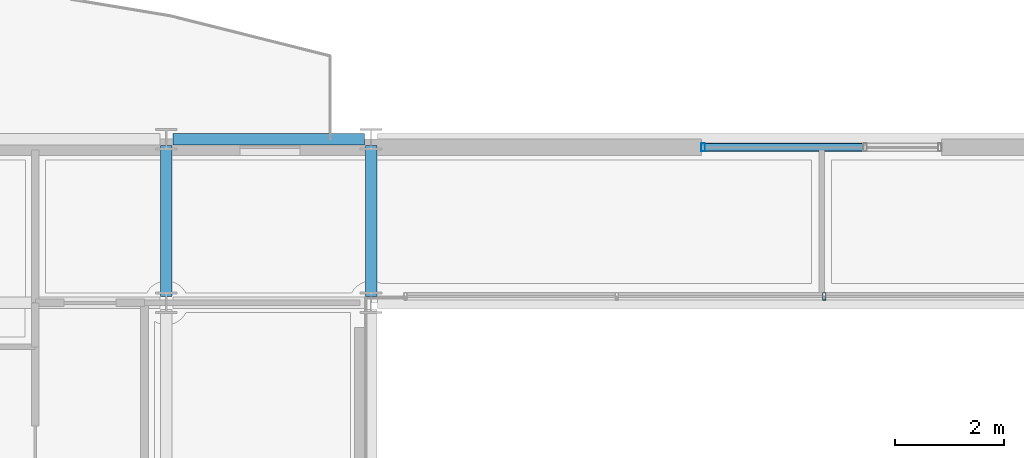
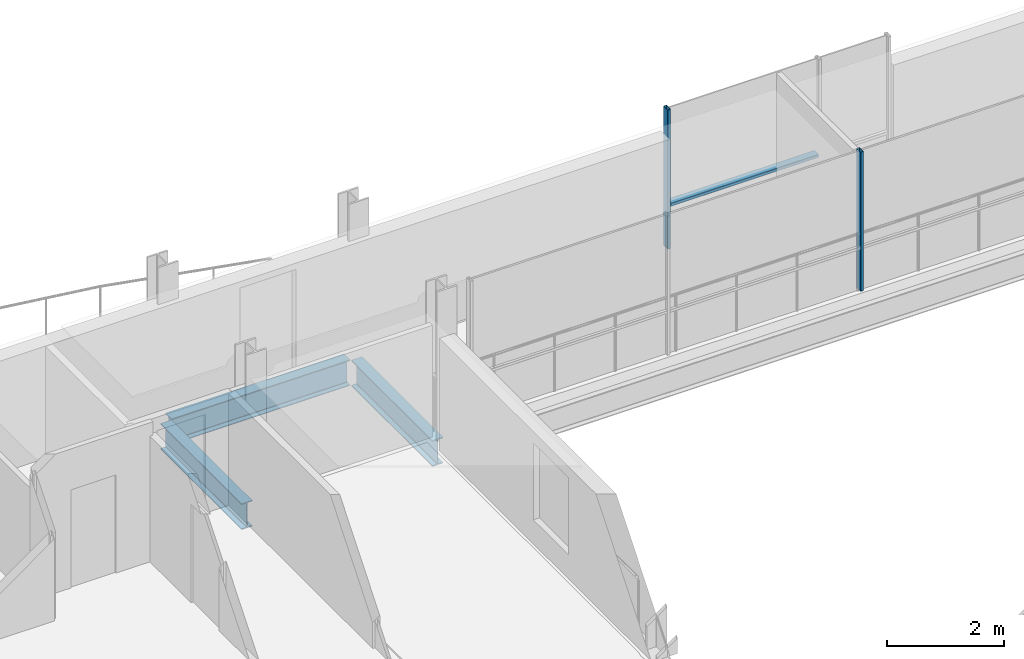
# One storey, part 11 of 38: 3 beams, 3 members, 2 elements without a shape of their own.
"""IFC4 building model written with IfcOpenShell, lengths in metres."""

from ifc_helpers import new_model, si_unit, direction, frame, origin, origin_2d, place, context, subcontext, project, spatial, hollow_rectangle, i_section, extrude, material, layer, layer_set, material_profile, profile_set, type_object, element, aggregate, save


model = new_model("IFC4")

# Units and contexts
model_context = context("Model", 3, precision=1e-05, world=origin(), true_north=direction((0.0, 1.0)))
body_context = subcontext(model_context, "Body", "Model", "MODEL_VIEW")
ifc_project = project(units=[si_unit("LENGTHUNIT", "METRE"), si_unit("AREAUNIT", "SQUARE_METRE"), si_unit("VOLUMEUNIT", "CUBIC_METRE"), si_unit("PLANEANGLEUNIT", "RADIAN"), si_unit("MASSUNIT", "GRAM", prefix="KILO")], contexts=[model_context])

# Site, building, storey
site_placement = place(None, origin())
site = spatial("IfcSite", under=ifc_project, at=site_placement, CompositionType="ELEMENT")
building_placement = place(site_placement, origin())
building = spatial("IfcBuilding", under=site, at=building_placement, Name="Brevholm Reach", CompositionType="ELEMENT")
storey_placement = place(building_placement, frame((0.0, 0.0, 186.300048828125)))
storey = spatial("IfcBuildingStorey", under=building, at=storey_placement, Name="L56", CompositionType="ELEMENT", Elevation=186.300048828125)

# Beams
ifc_material_1 = material(Name="Structural Steel S355J2", Category="steel")
ifc_material_profile_1 = material_profile(ifc_material_1, i_section(OverallWidth=0.209228515625, OverallDepth=0.533203125, WebThickness=0.010009765625, FlangeThickness=0.015625, FilletRadius=0.0126953125, at=origin_2d()), Name="UKB 533x210x92")
ifc_profile_set_1 = profile_set([ifc_material_profile_1], Name="Structural Steel S355J2")
beam_type_1 = type_object("IfcBeamType", Name="BM-SP533", PredefinedType="SPANDREL", material=ifc_profile_set_1)
beam_placement = place(storey_placement, frame((18.1201171875, 26.5, -0.4765625), z_axis=(1.0, 0.0, 0.0), x_axis=(0.0, 1.0, 0.0)))
element("IfcBeam", 1, at=beam_placement, inside=storey, type_object=beam_type_1, Name="L56 SP-02 Framing Beam", PredefinedType="SPANDREL", context=body_context, shape_type="SweptSolid", body=[
    extrude(i_section(OverallWidth=0.209228515625, OverallDepth=0.533203125, WebThickness=0.010009765625, FlangeThickness=0.015625, FilletRadius=0.0126953125, at=origin_2d()), origin(), (0.0, 0.0, 1.0), 3.509765625),
])
ifc_material_2 = material(Name="Structural Steel S355J2", Category="steel")
ifc_material_profile_2 = material_profile(ifc_material_2, i_section(OverallWidth=0.210693359375, OverallDepth=0.53955078125, WebThickness=0.01171875, FlangeThickness=0.018798828125, FilletRadius=0.0126953125, at=origin_2d()), Name="UKB 533x210x109")
ifc_profile_set_2 = profile_set([ifc_material_profile_2], Name="Structural Steel S355J2")
beam_type_2 = type_object("IfcBeamType", Name="BM-SP539", PredefinedType="SPANDREL", material=ifc_profile_set_2)
for number, where, z_axis, x_axis, name in (
    (2, (18.0, 23.6201171875, -0.479736328125), (0.0, 1.0, 0.0), (-1.0, 0.0, 0.0), "L56 SP-01B Framing Beam"),
    (3, (21.75, 23.6201171875, -0.479736328125), (0.0, 1.0, 0.0), (-1.0, 0.0, 0.0), "L56 SP-01B Framing Beam"),
):
    element("IfcBeam", number, at=place(storey_placement, frame(where, z_axis=z_axis, x_axis=x_axis)), inside=storey, type_object=beam_type_2, Name=name, PredefinedType="SPANDREL", context=body_context, shape_type="SweptSolid", body=[
        extrude(i_section(OverallWidth=0.210693359375, OverallDepth=0.53955078125, WebThickness=0.01171875, FlangeThickness=0.018798828125, FilletRadius=0.0126953125, at=origin_2d()), origin(), (0.0, 0.0, 1.0), 2.759765625),
    ])

# Curtain wall, member
ifc_material_3 = material(Name="Dark Anodised Aluminium 6063-T6 and Solar-Control Glass", Category="aluminium")
ifc_layer_1 = layer(ifc_material_3, 0.139892578125)
ifc_layer_set_1 = layer_set([ifc_layer_1], Name="Dark Anodised Aluminium 6063-T6 and Solar-Control Glass")
curtain_wall_type_1 = type_object("IfcCurtainWallType", Name="CW-02", PredefinedType="NOTDEFINED", material=ifc_layer_set_1)
curtain_wall_1_placement = place(storey_placement, origin())
curtain_wall_1 = element("IfcCurtainWall", 4, at=curtain_wall_1_placement, inside=storey, type_object=curtain_wall_type_1, Name="L56 Curtain Wall CW-02", PredefinedType="NOTDEFINED")
ifc_material_4 = material(Name="Dark Anodised Aluminium 6063-T6", Category="aluminium")
ifc_material_profile_3 = material_profile(ifc_material_4, hollow_rectangle(XDim=0.06005859375, YDim=0.139892578125, WallThickness=0.0048828125, InnerFilletRadius=0.0048828125, OuterFilletRadius=0.010009765625, at=origin_2d()), Name="RHS 140x60x5")
ifc_profile_set_3 = profile_set([ifc_material_profile_3], Name="Dark Anodised Aluminium 6063-T6")
member_type_1 = type_object("IfcMemberType", Name="CWM-140", PredefinedType="MULLION", material=ifc_profile_set_3)
member_1_placement = place(storey_placement, frame((30.050048828125, 23.6201171875, 0.0), z_axis=(0.0, 0.0, 1.0), x_axis=(-1.0, 0.0, 0.0)))
member_1 = element("IfcMember", 5, at=member_1_placement, type_object=member_type_1, Name="CM-140 Mullion 3", PredefinedType="MULLION", context=body_context, shape_type="SweptSolid", body=[
    extrude(hollow_rectangle(XDim=0.06005859375, YDim=0.139892578125, WallThickness=0.0048828125, InnerFilletRadius=0.0048828125, OuterFilletRadius=0.010009765625, at=origin_2d()), origin(), (0.0, 0.0, 1.0), 2.889892578125),
])
aggregate(curtain_wall_1, [member_1])

# Curtain wall, members
ifc_material_5 = material(Name="Dark Anodised Aluminium 6063-T6 and Solar-Control Glass", Category="aluminium")
ifc_layer_2 = layer(ifc_material_5, 0.14990234375)
ifc_layer_set_2 = layer_set([ifc_layer_2], Name="Dark Anodised Aluminium 6063-T6 and Solar-Control Glass")
curtain_wall_type_2 = type_object("IfcCurtainWallType", Name="CW-01", PredefinedType="NOTDEFINED", material=ifc_layer_set_2)
curtain_wall_2_placement = place(storey_placement, origin())
curtain_wall_2 = element("IfcCurtainWall", 6, at=curtain_wall_2_placement, inside=storey, type_object=curtain_wall_type_2, Name="L56 Curtain Wall CW-01", PredefinedType="NOTDEFINED")
ifc_material_6 = material(Name="Dark Anodised Aluminium 6063-T6", Category="aluminium")
ifc_material_profile_4 = material_profile(ifc_material_6, hollow_rectangle(XDim=0.06494140625, YDim=0.14990234375, WallThickness=0.0048828125, InnerFilletRadius=0.0048828125, OuterFilletRadius=0.010009765625, at=origin_2d()), Name="RHS 150x65x5")
ifc_profile_set_4 = profile_set([ifc_material_profile_4], Name="Dark Anodised Aluminium 6063-T6")
member_type_2 = type_object("IfcMemberType", Name="CWM-150", PredefinedType="MULLION", material=ifc_profile_set_4)
member_2_placement = place(storey_placement, frame((27.83251953125, 26.35009765625, 0.0), z_axis=(0.0, 0.0, 1.0), x_axis=(1.0, 0.0, 0.0)))
member_2 = element("IfcMember", 7, at=member_2_placement, type_object=member_type_2, Name="CM-150 Mullion 1", PredefinedType="MULLION", context=body_context, shape_type="SweptSolid", body=[
    extrude(hollow_rectangle(XDim=0.06494140625, YDim=0.14990234375, WallThickness=0.0048828125, InnerFilletRadius=0.0048828125, OuterFilletRadius=0.010009765625, at=origin_2d()), origin(), (0.0, 0.0, 1.0), 2.889892578125),
])
ifc_material_7 = material(Name="Dark Anodised Aluminium 6063-T6", Category="aluminium")
ifc_material_profile_5 = material_profile(ifc_material_7, hollow_rectangle(XDim=0.06494140625, YDim=0.14990234375, WallThickness=0.0048828125, InnerFilletRadius=0.0048828125, OuterFilletRadius=0.010009765625, at=origin_2d()), Name="RHS 150x65x5")
ifc_profile_set_5 = profile_set([ifc_material_profile_5], Name="Dark Anodised Aluminium 6063-T6")
member_type_3 = type_object("IfcMemberType", Name="CWT-150", PredefinedType="NOTDEFINED", material=ifc_profile_set_5)
member_3_placement = place(storey_placement, frame((27.864990234375, 26.35009765625, 0.89990234375), z_axis=(1.0, 0.0, 0.0), x_axis=(0.0, 0.0, 1.0)))
member_3 = element("IfcMember", 8, at=member_3_placement, type_object=member_type_3, Name="CT-150 Transom 1.1", ObjectType="TRANSOM", PredefinedType="USERDEFINED", context=body_context, shape_type="SweptSolid", body=[
    extrude(hollow_rectangle(XDim=0.06494140625, YDim=0.14990234375, WallThickness=0.0048828125, InnerFilletRadius=0.0048828125, OuterFilletRadius=0.010009765625, at=origin_2d()), origin(), (0.0, 0.0, 1.0), 2.902587890625),
])
aggregate(curtain_wall_2, [member_2, member_3])

save(model, "model.ifc")
